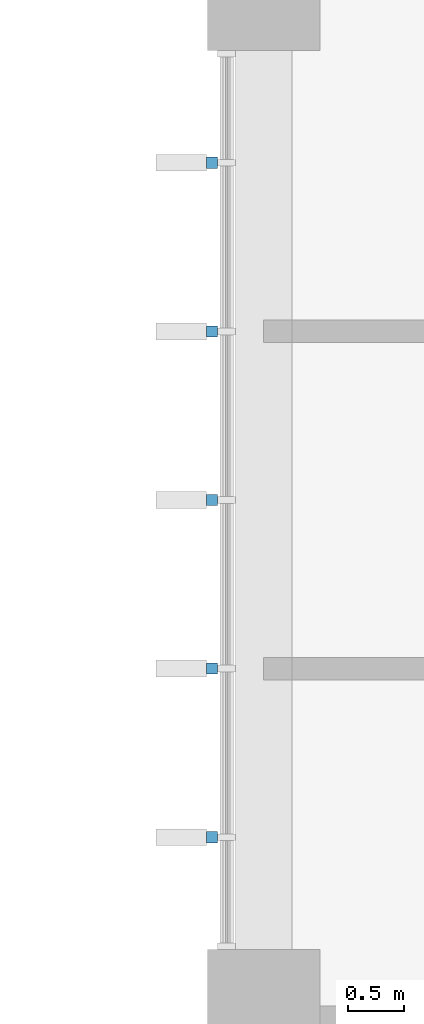
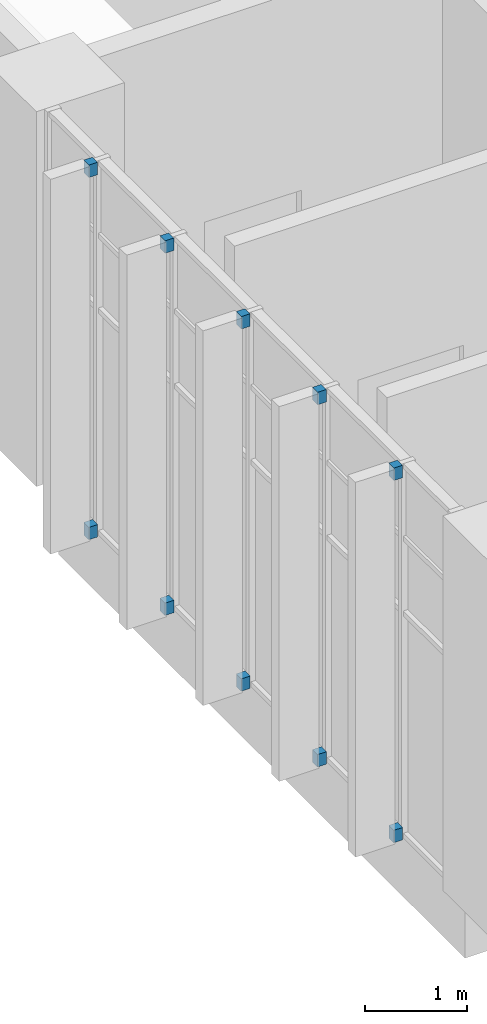
# One storey, part 72 of 88: 10 discrete accessories.
"""IFC4 building model written with IfcOpenShell, lengths in metres."""

from ifc_helpers import new_model, si_unit, direction, frame, origin, origin_2d, place, context, subcontext, project, spatial, rectangle, extrude, material, type_object, element, save


model = new_model("IFC4")

# Units and contexts
model_context = context("Model", 3, precision=1e-05, world=origin(), true_north=direction((0.0, 1.0)))
body_context = subcontext(model_context, "Body", "Model", "MODEL_VIEW")
ifc_project = project(units=[si_unit("LENGTHUNIT", "METRE"), si_unit("AREAUNIT", "SQUARE_METRE"), si_unit("VOLUMEUNIT", "CUBIC_METRE"), si_unit("PLANEANGLEUNIT", "RADIAN"), si_unit("MASSUNIT", "GRAM", prefix="KILO")], contexts=[model_context])

# Site, building, storey
site_placement = place(None, origin())
site = spatial("IfcSite", under=ifc_project, at=site_placement, CompositionType="ELEMENT")
building_placement = place(site_placement, origin())
building = spatial("IfcBuilding", under=site, at=building_placement, Name="Guidao Yard Department Store", CompositionType="ELEMENT")
storey_placement = place(building_placement, frame((0.0, 0.0, 6.0)))
storey = spatial("IfcBuildingStorey", under=building, at=storey_placement, Name="L01", CompositionType="ELEMENT", Elevation=6.0)

# Discrete accessories
ifc_material = material(Name="Steel Q355B", Category="steel")
discrete_accessory_type = type_object("IfcDiscreteAccessoryType", Name="Fin bracket BR3 steel plate", PredefinedType="BRACKET", material=ifc_material)
for number, where, z_axis, x_axis, name in (
    (1, (125.5400390625, 10.5, 0.0), (0.0, 0.0, 1.0), (0.0, 1.0, 0.0), "Fin bracket"),
    (2, (125.5400390625, 10.5, 4.35009765625), (0.0, 0.0, 1.0), (0.0, 1.0, 0.0), "Fin bracket"),
    (3, (125.5400390625, 12.0, 0.0), (0.0, 0.0, 1.0), (0.0, 1.0, 0.0), "Fin bracket"),
    (4, (125.5400390625, 12.0, 4.35009765625), (0.0, 0.0, 1.0), (0.0, 1.0, 0.0), "Fin bracket"),
    (5, (125.5400390625, 13.5, 0.0), (0.0, 0.0, 1.0), (0.0, 1.0, 0.0), "Fin bracket"),
    (6, (125.5400390625, 13.5, 4.35009765625), (0.0, 0.0, 1.0), (0.0, 1.0, 0.0), "Fin bracket"),
    (7, (125.5400390625, 15.0, 0.0), (0.0, 0.0, 1.0), (0.0, 1.0, 0.0), "Fin bracket"),
    (8, (125.5400390625, 15.0, 4.35009765625), (0.0, 0.0, 1.0), (0.0, 1.0, 0.0), "Fin bracket"),
    (9, (125.5400390625, 16.5, 0.0), (0.0, 0.0, 1.0), (0.0, 1.0, 0.0), "Fin bracket"),
    (10, (125.5400390625, 16.5, 4.35009765625), (0.0, 0.0, 1.0), (0.0, 1.0, 0.0), "Fin bracket"),
):
    element("IfcDiscreteAccessory", number, at=place(storey_placement, frame(where, z_axis=z_axis, x_axis=x_axis)), inside=storey, type_object=discrete_accessory_type, Name=name, PredefinedType="BRACKET", context=body_context, shape_type="SweptSolid", body=[
        extrude(rectangle(XDim=0.10009765625, YDim=0.10009765625, at=origin_2d()), origin(), (0.0, 0.0, 1.0), 0.14990234375),
    ])

save(model, "model.ifc")
